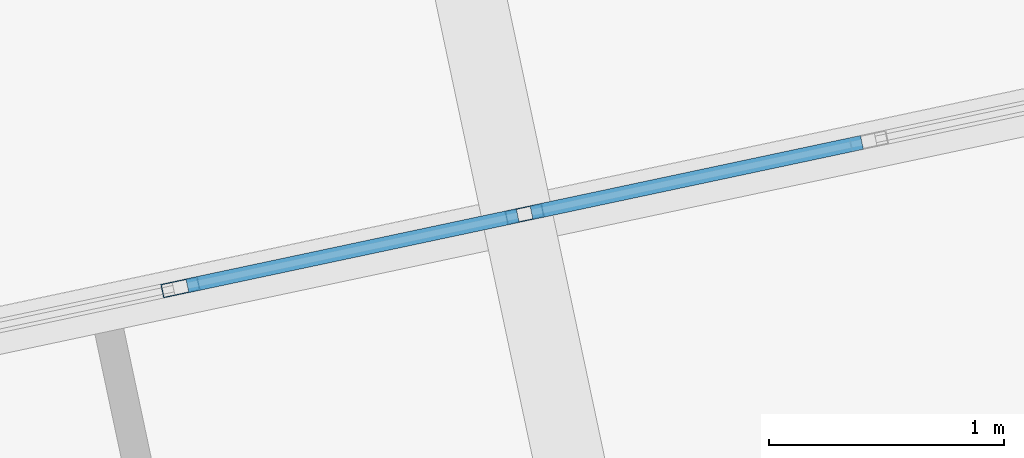
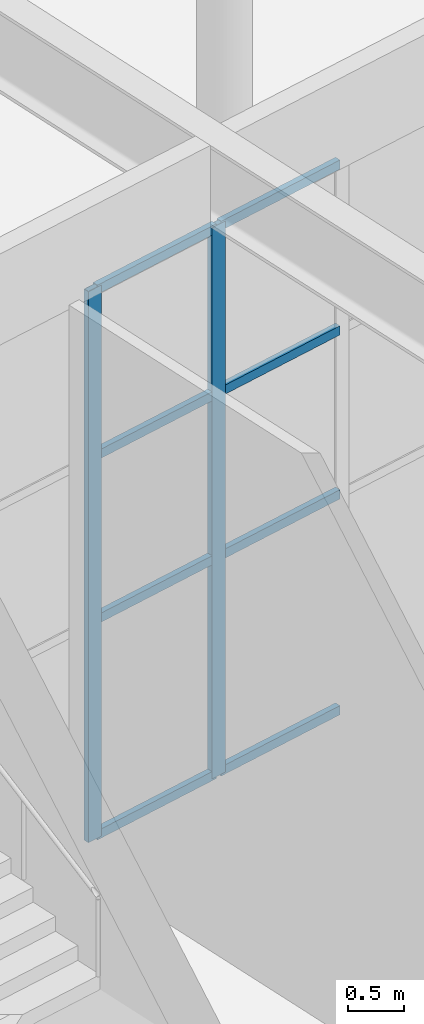
# One storey, part 71 of 239: 10 members, 1 element without a shape of its own.
"""IFC4 building model written with IfcOpenShell, lengths in metres."""

from ifc_helpers import new_model, si_unit, direction, frame, origin, origin_2d, place, context, subcontext, project, spatial, hollow_rectangle, extrude, material, material_profile, profile_set, type_object, element, aggregate, save


model = new_model("IFC4")

# Units and contexts
model_context = context("Model", 3, precision=1e-05, world=origin(), true_north=direction((0.0, 1.0)))
body_context = subcontext(model_context, "Body", "Model", "MODEL_VIEW")
ifc_project = project(units=[si_unit("LENGTHUNIT", "METRE"), si_unit("AREAUNIT", "SQUARE_METRE"), si_unit("VOLUMEUNIT", "CUBIC_METRE"), si_unit("PLANEANGLEUNIT", "RADIAN"), si_unit("MASSUNIT", "GRAM", prefix="KILO")], contexts=[model_context])

# Site, building, storey
site_placement = place(None, origin())
site = spatial("IfcSite", under=ifc_project, at=site_placement, CompositionType="ELEMENT")
building_placement = place(site_placement, origin())
building = spatial("IfcBuilding", under=site, at=building_placement, Name="Okhra Congress Centre", CompositionType="ELEMENT")
storey_placement = place(building_placement, origin())
storey = spatial("IfcBuildingStorey", under=building, at=storey_placement, Name="L00", CompositionType="ELEMENT", Elevation=0.0)

# Curtain wall, members
ifc_material_1 = material(Name="Aluminium curtain wall, triple glazing", Category="aluminium")
curtain_wall_type = type_object("IfcCurtainWallType", Name="Curtain wall 1500 module", PredefinedType="NOTDEFINED", material=ifc_material_1)
curtain_wall_placement = place(storey_placement, origin())
curtain_wall = element("IfcCurtainWall", 1, at=curtain_wall_placement, inside=storey, type_object=curtain_wall_type, Name="Ground curtain wall N8", PredefinedType="NOTDEFINED")
ifc_material_2 = material(Name="Aluminium alloy EN AW-6063 T66", Category="aluminium")
ifc_material_profile_1 = material_profile(ifc_material_2, hollow_rectangle(XDim=0.06005859375, YDim=0.159912109375, WallThickness=0.00390625, at=origin_2d()), Name="RHS 60x160x4")
ifc_profile_set_1 = profile_set([ifc_material_profile_1], Name="Aluminium alloy EN AW-6063 T66")
member_type_1 = type_object("IfcMemberType", Name="Curtain wall mullion 60x160", PredefinedType="MULLION", material=ifc_profile_set_1)
member_1_placement = place(storey_placement, frame((112.819091796875, 57.39404296875, 0.0), z_axis=(0.0, 0.0, 1.0), x_axis=(-0.207911690818, 0.978147600734, 0.0)))
member_1 = element("IfcMember", 2, at=member_1_placement, type_object=member_type_1, Name="CW7 mullion 3", PredefinedType="MULLION", context=body_context, shape_type="SweptSolid", body=[
    extrude(hollow_rectangle(XDim=0.06005859375, YDim=0.159912109375, WallThickness=0.00390625, at=origin_2d()), origin(), (0.0, 0.0, 1.0), 6.050048828125),
])
member_2_placement = place(storey_placement, frame((114.283935546875, 57.70556640625, 0.0), z_axis=(0.0, 0.0, 1.0), x_axis=(-0.207911690818, 0.978147600734, 0.0)))
member_2 = element("IfcMember", 3, at=member_2_placement, type_object=member_type_1, Name="CW7 mullion 4", PredefinedType="MULLION", context=body_context, shape_type="SweptSolid", body=[
    extrude(hollow_rectangle(XDim=0.06005859375, YDim=0.159912109375, WallThickness=0.00390625, at=origin_2d()), origin(), (0.0, 0.0, 1.0), 6.050048828125),
])
ifc_material_profile_2 = material_profile(ifc_material_2, hollow_rectangle(XDim=0.06005859375, YDim=0.10009765625, WallThickness=0.00390625, at=origin_2d()), Name="RHS 60x100x4")
ifc_profile_set_2 = profile_set([ifc_material_profile_2], Name="Aluminium alloy EN AW-6063 T66")
member_type_2 = type_object("IfcMemberType", Name="Curtain wall transom 60x100", PredefinedType="USERDEFINED", material=ifc_profile_set_2)
member_3_placement = place(storey_placement, frame((112.8486328125, 57.400390625, 0.030029296875), z_axis=(0.978151512004, 0.207893288886, 0.0), x_axis=(-0.207893288886, 0.978151512004, 0.0)))
member_3 = element("IfcMember", 4, at=member_3_placement, type_object=member_type_2, Name="CW7 transom 3.1", ObjectType="TRANSOM", PredefinedType="USERDEFINED", context=body_context, shape_type="SweptSolid", body=[
    extrude(hollow_rectangle(XDim=0.06005859375, YDim=0.10009765625, WallThickness=0.00390625, at=origin_2d()), origin(), (0.0, 0.0, 1.0), 1.4375),
])
member_4_placement = place(storey_placement, frame((112.8486328125, 57.400390625, 2.39990234375), z_axis=(0.978151512004, 0.207893288886, 0.0), x_axis=(-0.207893288886, 0.978151512004, 0.0)))
member_4 = element("IfcMember", 5, at=member_4_placement, type_object=member_type_2, Name="CW7 transom 3.2", ObjectType="TRANSOM", PredefinedType="USERDEFINED", context=body_context, shape_type="SweptSolid", body=[
    extrude(hollow_rectangle(XDim=0.06005859375, YDim=0.10009765625, WallThickness=0.00390625, at=origin_2d()), origin(), (0.0, 0.0, 1.0), 1.4375),
])
member_5_placement = place(storey_placement, frame((112.8486328125, 57.400390625, 4.199951171875), z_axis=(0.978151512004, 0.207893288886, 0.0), x_axis=(-0.207893288886, 0.978151512004, 0.0)))
member_5 = element("IfcMember", 6, at=member_5_placement, type_object=member_type_2, Name="CW7 transom 3.3", ObjectType="TRANSOM", PredefinedType="USERDEFINED", context=body_context, shape_type="SweptSolid", body=[
    extrude(hollow_rectangle(XDim=0.06005859375, YDim=0.10009765625, WallThickness=0.00390625, at=origin_2d()), origin(), (0.0, 0.0, 1.0), 1.4375),
])
member_6_placement = place(storey_placement, frame((112.8486328125, 57.400390625, 6.02001953125), z_axis=(0.978151512004, 0.207893288886, 0.0), x_axis=(-0.207893288886, 0.978151512004, 0.0)))
member_6 = element("IfcMember", 7, at=member_6_placement, type_object=member_type_2, Name="CW7 transom 3.4", ObjectType="TRANSOM", PredefinedType="USERDEFINED", context=body_context, shape_type="SweptSolid", body=[
    extrude(hollow_rectangle(XDim=0.06005859375, YDim=0.10009765625, WallThickness=0.00390625, at=origin_2d()), origin(), (0.0, 0.0, 1.0), 1.4375),
])
member_7_placement = place(storey_placement, frame((114.313232421875, 57.711669921875, 0.030029296875), z_axis=(0.978158850918, 0.20785875582, 0.0), x_axis=(-0.20785875582, 0.978158850918, 0.0)))
member_7 = element("IfcMember", 8, at=member_7_placement, type_object=member_type_2, Name="CW7 transom 4.1", ObjectType="TRANSOM", PredefinedType="USERDEFINED", context=body_context, shape_type="SweptSolid", body=[
    extrude(hollow_rectangle(XDim=0.06005859375, YDim=0.10009765625, WallThickness=0.00390625, at=origin_2d()), origin(), (0.0, 0.0, 1.0), 1.437744140625),
])
member_8_placement = place(storey_placement, frame((114.313232421875, 57.711669921875, 2.39990234375), z_axis=(0.978158850918, 0.20785875582, 0.0), x_axis=(-0.20785875582, 0.978158850918, 0.0)))
member_8 = element("IfcMember", 9, at=member_8_placement, type_object=member_type_2, Name="CW7 transom 4.2", ObjectType="TRANSOM", PredefinedType="USERDEFINED", context=body_context, shape_type="SweptSolid", body=[
    extrude(hollow_rectangle(XDim=0.06005859375, YDim=0.10009765625, WallThickness=0.00390625, at=origin_2d()), origin(), (0.0, 0.0, 1.0), 1.437744140625),
])
member_9_placement = place(storey_placement, frame((114.313232421875, 57.711669921875, 4.199951171875), z_axis=(0.978158850918, 0.20785875582, 0.0), x_axis=(-0.20785875582, 0.978158850918, 0.0)))
member_9 = element("IfcMember", 10, at=member_9_placement, type_object=member_type_2, Name="CW7 transom 4.3", ObjectType="TRANSOM", PredefinedType="USERDEFINED", context=body_context, shape_type="SweptSolid", body=[
    extrude(hollow_rectangle(XDim=0.06005859375, YDim=0.10009765625, WallThickness=0.00390625, at=origin_2d()), origin(), (0.0, 0.0, 1.0), 1.437744140625),
])
member_10_placement = place(storey_placement, frame((114.313232421875, 57.711669921875, 6.02001953125), z_axis=(0.978158850918, 0.20785875582, 0.0), x_axis=(-0.20785875582, 0.978158850918, 0.0)))
member_10 = element("IfcMember", 11, at=member_10_placement, type_object=member_type_2, Name="CW7 transom 4.4", ObjectType="TRANSOM", PredefinedType="USERDEFINED", context=body_context, shape_type="SweptSolid", body=[
    extrude(hollow_rectangle(XDim=0.06005859375, YDim=0.10009765625, WallThickness=0.00390625, at=origin_2d()), origin(), (0.0, 0.0, 1.0), 1.437744140625),
])
aggregate(curtain_wall, [member_1, member_2, member_3, member_4, member_5, member_6, member_7, member_8, member_9, member_10])

save(model, "model.ifc")
